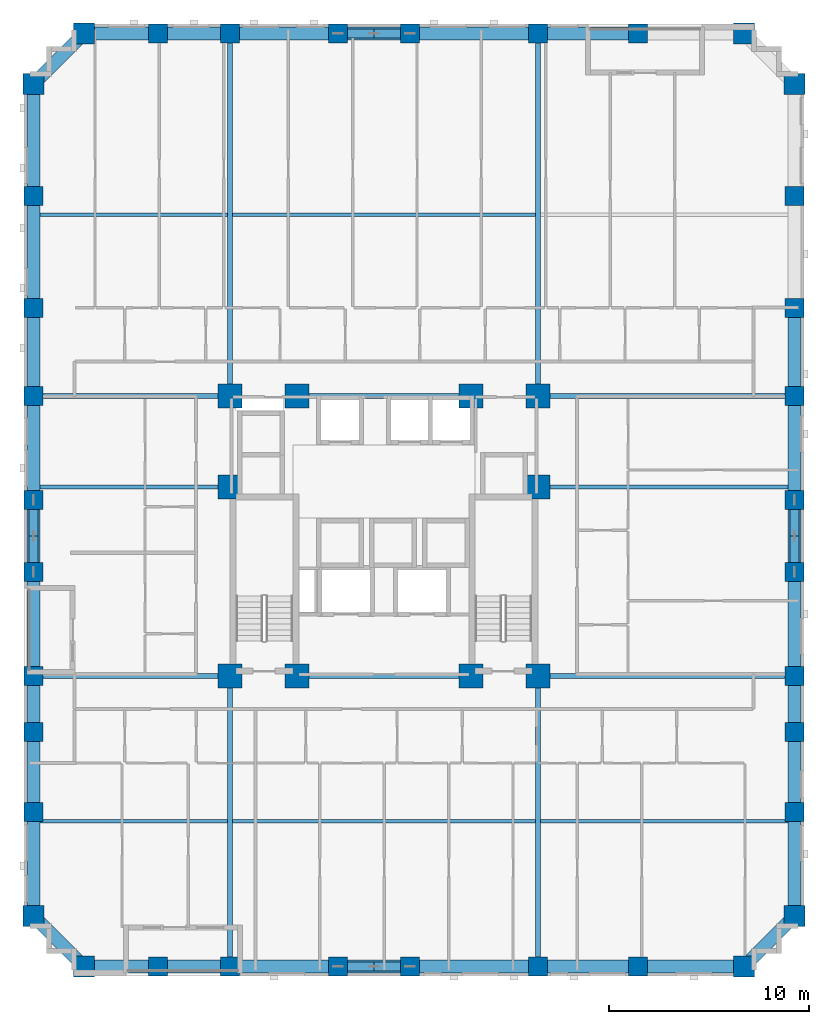
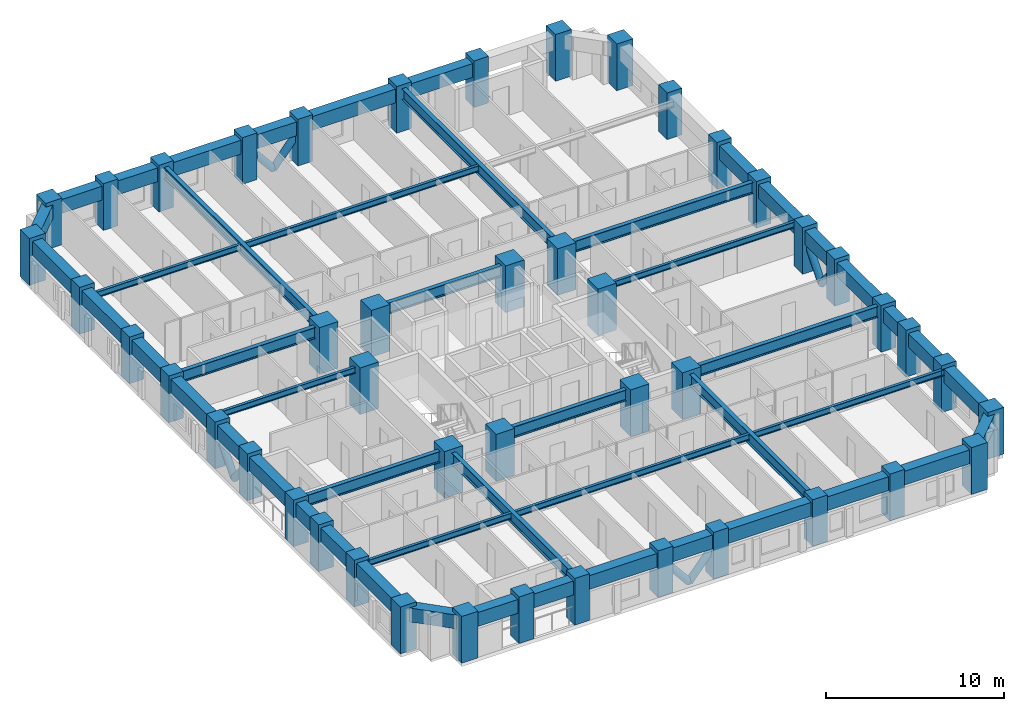
# One storey, part 1 of 14: 49 beams, 46 columns, 8 members.
"""IFC4 building model written with IfcOpenShell, lengths in metres."""

from ifc_helpers import new_model, si_unit, derived_unit, direction, frame, origin, origin_2d, place, context, subcontext, project, spatial, rectangle, hollow_circle, i_section, extrude, material, material_profile, profile_set, type_object, element, save


model = new_model("IFC4")

# Units and contexts
model_context = context("Model", 3, precision=1e-05, world=origin(), true_north=direction((0.0, 1.0)))
body_context = subcontext(model_context, "Body", "Model", "MODEL_VIEW")
ifc_project = project(units=[si_unit("LENGTHUNIT", "METRE"), si_unit("AREAUNIT", "SQUARE_METRE"), si_unit("VOLUMEUNIT", "CUBIC_METRE"), si_unit("PLANEANGLEUNIT", "RADIAN"), si_unit("MASSUNIT", "GRAM", prefix="KILO"), derived_unit("THERMALTRANSMITTANCEUNIT", [(si_unit("MASSUNIT", "GRAM", prefix="KILO"), 1), (si_unit("TIMEUNIT", "SECOND"), -3), (si_unit("THERMODYNAMICTEMPERATUREUNIT", "KELVIN"), -1)])], contexts=[model_context])

# Site, building, storey
site_placement = place(None, origin())
site = spatial("IfcSite", under=ifc_project, at=site_placement, CompositionType="ELEMENT")
building_placement = place(site_placement, origin())
building = spatial("IfcBuilding", under=site, at=building_placement, Name="Korrvale Station Residences", CompositionType="ELEMENT")
storey_placement = place(building_placement, frame((0.0, 0.0, 45.0)))
storey = spatial("IfcBuildingStorey", under=building, at=storey_placement, Name="L11", CompositionType="ELEMENT", Elevation=45.0)

# Columns
ifc_material_1 = material(Name="Concrete C70/85", Category="concrete")
ifc_material_profile_1 = material_profile(ifc_material_1, rectangle(XDim=1.050048828125, YDim=1.050048828125, at=origin_2d()), Name="RC1050x1050")
ifc_profile_set_1 = profile_set([ifc_material_profile_1], Name="Concrete C70/85")
column_type_1 = type_object("IfcColumnType", Name="COL-C-RC1050x1050-C7085", PredefinedType="COLUMN", material=ifc_profile_set_1)
for number, where, z_axis, x_axis, name in (
    (1, (10.5, 0.47998046875, 0.0), (0.0, 0.0, 1.0), (1.0, 0.0, 0.0), "L11 Bundled-Tube South Column 01"),
    (2, (43.5, 0.47998046875, 0.0), (0.0, 0.0, 1.0), (1.0, 0.0, 0.0), "L11 Bundled-Tube South Column 08"),
    (3, (10.5, 47.1201171875, 0.0), (0.0, 0.0, 1.0), (1.0, 0.0, 0.0), "L11 Bundled-Tube North Column 09"),
    (4, (43.5, 47.1201171875, 0.0), (0.0, 0.0, 1.0), (1.0, 0.0, 0.0), "L11 Bundled-Tube North Column 16"),
    (5, (7.97998046875, 3.0, 0.0), (0.0, 0.0, 1.0), (1.0, 0.0, 0.0), "L11 Bundled-Tube West Column 17"),
    (6, (7.97998046875, 44.60009765625, 0.0), (0.0, 0.0, 1.0), (1.0, 0.0, 0.0), "L11 Bundled-Tube West Column 26"),
    (7, (46.02001953125, 3.0, 0.0), (0.0, 0.0, 1.0), (1.0, 0.0, 0.0), "L11 Bundled-Tube East Column 27"),
    (8, (46.02001953125, 44.60009765625, 0.0), (0.0, 0.0, 1.0), (1.0, 0.0, 0.0), "L11 Bundled-Tube East Column 36"),
):
    element("IfcColumn", number, at=place(storey_placement, frame(where, z_axis=z_axis, x_axis=x_axis)), inside=storey, type_object=column_type_1, Name=name, PredefinedType="COLUMN", context=body_context, shape_type="SweptSolid", body=[
        extrude(rectangle(XDim=1.050048828125, YDim=1.050048828125, at=origin_2d()), origin(), (0.0, 0.0, 1.0), 3.199951171875),
    ])
ifc_material_profile_2 = material_profile(ifc_material_1, rectangle(XDim=1.199951171875, YDim=1.199951171875, at=origin_2d()), Name="RC1200x1200")
ifc_profile_set_2 = profile_set([ifc_material_profile_2], Name="Concrete C70/85")
column_type_2 = type_object("IfcColumnType", Name="COL-C-RC1200x1200-C7085", PredefinedType="COLUMN", material=ifc_profile_set_2)
for number, where, z_axis, x_axis, name in (
    (9, (17.800048828125, 15.0, 0.0), (0.0, 0.0, 1.0), (1.0, 0.0, 0.0), "L11 Core Column 01"),
    (10, (21.14990234375, 15.0, 0.0), (0.0, 0.0, 1.0), (1.0, 0.0, 0.0), "L11 Core Column 02"),
    (11, (29.85009765625, 15.0, 0.0), (0.0, 0.0, 1.0), (1.0, 0.0, 0.0), "L11 Core Column 03"),
    (12, (33.199951171875, 15.0, 0.0), (0.0, 0.0, 1.0), (1.0, 0.0, 0.0), "L11 Core Column 04"),
    (13, (17.800048828125, 29.0, 0.0), (0.0, 0.0, 1.0), (1.0, 0.0, 0.0), "L11 Core Column 05"),
    (14, (21.14990234375, 29.0, 0.0), (0.0, 0.0, 1.0), (1.0, 0.0, 0.0), "L11 Core Column 06"),
    (15, (29.85009765625, 29.0, 0.0), (0.0, 0.0, 1.0), (1.0, 0.0, 0.0), "L11 Core Column 07"),
    (16, (33.199951171875, 29.0, 0.0), (0.0, 0.0, 1.0), (1.0, 0.0, 0.0), "L11 Core Column 08"),
    (17, (17.800048828125, 24.449951171875, 0.0), (0.0, 0.0, 1.0), (1.0, 0.0, 0.0), "L11 Core Column 09"),
    (18, (33.199951171875, 24.449951171875, 0.0), (0.0, 0.0, 1.0), (1.0, 0.0, 0.0), "L11 Core Column 10"),
):
    element("IfcColumn", number, at=place(storey_placement, frame(where, z_axis=z_axis, x_axis=x_axis)), inside=storey, type_object=column_type_2, Name=name, PredefinedType="COLUMN", context=body_context, shape_type="SweptSolid", body=[
        extrude(rectangle(XDim=1.199951171875, YDim=1.199951171875, at=origin_2d()), origin(), (0.0, 0.0, 1.0), 3.199951171875),
    ])
ifc_material_profile_3 = material_profile(ifc_material_1, rectangle(XDim=0.949951171875, YDim=0.949951171875, at=origin_2d()), Name="RC950x950")
ifc_profile_set_3 = profile_set([ifc_material_profile_3], Name="Concrete C70/85")
column_type_3 = type_object("IfcColumnType", Name="COL-C-RC950x950-C7085", PredefinedType="COLUMN", material=ifc_profile_set_3)
for number, where, z_axis, x_axis, name in (
    (19, (14.199951171875, 0.47998046875, 0.0), (0.0, 0.0, 1.0), (1.0, 0.0, 0.0), "L11 Bundled-Tube South Column 02"),
    (20, (17.800048828125, 0.47998046875, 0.0), (0.0, 0.0, 1.0), (1.0, 0.0, 0.0), "L11 Bundled-Tube South Column 03"),
    (21, (23.199951171875, 0.47998046875, 0.0), (0.0, 0.0, 1.0), (1.0, 0.0, 0.0), "L11 Bundled-Tube South Column 04"),
    (22, (26.800048828125, 0.47998046875, 0.0), (0.0, 0.0, 1.0), (1.0, 0.0, 0.0), "L11 Bundled-Tube South Column 05"),
    (23, (33.199951171875, 0.47998046875, 0.0), (0.0, 0.0, 1.0), (1.0, 0.0, 0.0), "L11 Bundled-Tube South Column 06"),
    (24, (38.199951171875, 0.47998046875, 0.0), (0.0, 0.0, 1.0), (1.0, 0.0, 0.0), "L11 Bundled-Tube South Column 07"),
    (25, (14.199951171875, 47.1201171875, 0.0), (0.0, 0.0, 1.0), (1.0, 0.0, 0.0), "L11 Bundled-Tube North Column 10"),
    (26, (17.800048828125, 47.1201171875, 0.0), (0.0, 0.0, 1.0), (1.0, 0.0, 0.0), "L11 Bundled-Tube North Column 11"),
    (27, (23.199951171875, 47.1201171875, 0.0), (0.0, 0.0, 1.0), (1.0, 0.0, 0.0), "L11 Bundled-Tube North Column 12"),
    (28, (26.800048828125, 47.1201171875, 0.0), (0.0, 0.0, 1.0), (1.0, 0.0, 0.0), "L11 Bundled-Tube North Column 13"),
    (29, (33.199951171875, 47.1201171875, 0.0), (0.0, 0.0, 1.0), (1.0, 0.0, 0.0), "L11 Bundled-Tube North Column 14"),
    (30, (38.199951171875, 47.1201171875, 0.0), (0.0, 0.0, 1.0), (1.0, 0.0, 0.0), "L11 Bundled-Tube North Column 15"),
    (31, (7.97998046875, 8.199951171875, 0.0), (0.0, 0.0, 1.0), (1.0, 0.0, 0.0), "L11 Bundled-Tube West Column 18"),
    (32, (7.97998046875, 12.199951171875, 0.0), (0.0, 0.0, 1.0), (1.0, 0.0, 0.0), "L11 Bundled-Tube West Column 19"),
    (33, (7.97998046875, 15.0, 0.0), (0.0, 0.0, 1.0), (1.0, 0.0, 0.0), "L11 Bundled-Tube West Column 20"),
    (34, (7.97998046875, 20.199951171875, 0.0), (0.0, 0.0, 1.0), (1.0, 0.0, 0.0), "L11 Bundled-Tube West Column 21"),
    (35, (7.97998046875, 23.800048828125, 0.0), (0.0, 0.0, 1.0), (1.0, 0.0, 0.0), "L11 Bundled-Tube West Column 22"),
    (36, (7.97998046875, 29.0, 0.0), (0.0, 0.0, 1.0), (1.0, 0.0, 0.0), "L11 Bundled-Tube West Column 23"),
    (37, (7.97998046875, 33.39990234375, 0.0), (0.0, 0.0, 1.0), (1.0, 0.0, 0.0), "L11 Bundled-Tube West Column 24"),
    (38, (7.97998046875, 39.0, 0.0), (0.0, 0.0, 1.0), (1.0, 0.0, 0.0), "L11 Bundled-Tube West Column 25"),
    (39, (46.02001953125, 8.199951171875, 0.0), (0.0, 0.0, 1.0), (1.0, 0.0, 0.0), "L11 Bundled-Tube East Column 28"),
    (40, (46.02001953125, 12.199951171875, 0.0), (0.0, 0.0, 1.0), (1.0, 0.0, 0.0), "L11 Bundled-Tube East Column 29"),
    (41, (46.02001953125, 15.0, 0.0), (0.0, 0.0, 1.0), (1.0, 0.0, 0.0), "L11 Bundled-Tube East Column 30"),
    (42, (46.02001953125, 20.199951171875, 0.0), (0.0, 0.0, 1.0), (1.0, 0.0, 0.0), "L11 Bundled-Tube East Column 31"),
    (43, (46.02001953125, 23.800048828125, 0.0), (0.0, 0.0, 1.0), (1.0, 0.0, 0.0), "L11 Bundled-Tube East Column 32"),
    (44, (46.02001953125, 29.0, 0.0), (0.0, 0.0, 1.0), (1.0, 0.0, 0.0), "L11 Bundled-Tube East Column 33"),
    (45, (46.02001953125, 33.39990234375, 0.0), (0.0, 0.0, 1.0), (1.0, 0.0, 0.0), "L11 Bundled-Tube East Column 34"),
    (46, (46.02001953125, 39.0, 0.0), (0.0, 0.0, 1.0), (1.0, 0.0, 0.0), "L11 Bundled-Tube East Column 35"),
):
    element("IfcColumn", number, at=place(storey_placement, frame(where, z_axis=z_axis, x_axis=x_axis)), inside=storey, type_object=column_type_3, Name=name, PredefinedType="COLUMN", context=body_context, shape_type="SweptSolid", body=[
        extrude(rectangle(XDim=0.949951171875, YDim=0.949951171875, at=origin_2d()), origin(), (0.0, 0.0, 1.0), 3.199951171875),
    ])

# Beams
ifc_material_2 = material(Name="Steel S355", Category="steel")
ifc_material_profile_4 = material_profile(ifc_material_2, i_section(OverallWidth=0.26806640625, OverallDepth=0.77001953125, WebThickness=0.015625, FlangeThickness=0.025390625, FilletRadius=0.02197265625, at=origin_2d()), Name="W760x196")
ifc_profile_set_4 = profile_set([ifc_material_profile_4], Name="Steel S355")
beam_type_1 = type_object("IfcBeamType", Name="BM-BM-W760x196-S355", PredefinedType="BEAM", material=ifc_profile_set_4)
for number, where, z_axis, x_axis, name in (
    (47, (17.800048828125, 0.47998046875, 2.554931640625), (0.0, 1.0, 0.0), (-1.0, 0.0, 0.0), "L11 Bundled-Tube Web Girder 01"),
    (48, (33.199951171875, 0.47998046875, 2.554931640625), (0.0, 1.0, 0.0), (-1.0, 0.0, 0.0), "L11 Bundled-Tube Web Girder 02"),
):
    element("IfcBeam", number, at=place(storey_placement, frame(where, z_axis=z_axis, x_axis=x_axis)), inside=storey, type_object=beam_type_1, Name=name, PredefinedType="BEAM", context=body_context, shape_type="SweptSolid", body=[
        extrude(i_section(OverallWidth=0.26806640625, OverallDepth=0.77001953125, WebThickness=0.015625, FlangeThickness=0.025390625, FilletRadius=0.02197265625, at=origin_2d()), origin(), (0.0, 0.0, 1.0), 14.52001953125),
    ])
for number, where, z_axis, x_axis, name in (
    (49, (17.800048828125, 29.0, 2.554931640625), (0.0, 1.0, 0.0), (-1.0, 0.0, 0.0), "L11 Bundled-Tube Web Girder 03"),
    (50, (33.199951171875, 29.0, 2.554931640625), (0.0, 1.0, 0.0), (-1.0, 0.0, 0.0), "L11 Bundled-Tube Web Girder 04"),
):
    element("IfcBeam", number, at=place(storey_placement, frame(where, z_axis=z_axis, x_axis=x_axis)), inside=storey, type_object=beam_type_1, Name=name, PredefinedType="BEAM", context=body_context, shape_type="SweptSolid", body=[
        extrude(i_section(OverallWidth=0.26806640625, OverallDepth=0.77001953125, WebThickness=0.015625, FlangeThickness=0.025390625, FilletRadius=0.02197265625, at=origin_2d()), origin(), (0.0, 0.0, 1.0), 18.1201171875),
    ])
beam_1_placement = place(storey_placement, frame((7.97998046875, 15.0, 2.554931640625), z_axis=(1.0, 0.0, 0.0), x_axis=(0.0, 1.0, 0.0)))
element("IfcBeam", 51, at=beam_1_placement, inside=storey, type_object=beam_type_1, Name="L11 Bundled-Tube Web Girder 05", PredefinedType="BEAM", context=body_context, shape_type="SweptSolid", body=[
    extrude(i_section(OverallWidth=0.26806640625, OverallDepth=0.77001953125, WebThickness=0.015625, FlangeThickness=0.025390625, FilletRadius=0.02197265625, at=origin_2d()), origin(), (0.0, 0.0, 1.0), 9.820068359375),
])
beam_2_placement = place(storey_placement, frame((33.199951171875, 15.0, 2.554931640625), z_axis=(1.0, 0.0, 0.0), x_axis=(0.0, 1.0, 0.0)))
element("IfcBeam", 52, at=beam_2_placement, inside=storey, type_object=beam_type_1, Name="L11 Bundled-Tube Web Girder 06", PredefinedType="BEAM", context=body_context, shape_type="SweptSolid", body=[
    extrude(i_section(OverallWidth=0.26806640625, OverallDepth=0.77001953125, WebThickness=0.015625, FlangeThickness=0.025390625, FilletRadius=0.02197265625, at=origin_2d()), origin(), (0.0, 0.0, 1.0), 12.820068359375),
])
beam_3_placement = place(storey_placement, frame((7.97998046875, 29.0, 2.554931640625), z_axis=(1.0, 0.0, 0.0), x_axis=(0.0, 1.0, 0.0)))
element("IfcBeam", 53, at=beam_3_placement, inside=storey, type_object=beam_type_1, Name="L11 Bundled-Tube Web Girder 07", PredefinedType="BEAM", context=body_context, shape_type="SweptSolid", body=[
    extrude(i_section(OverallWidth=0.26806640625, OverallDepth=0.77001953125, WebThickness=0.015625, FlangeThickness=0.025390625, FilletRadius=0.02197265625, at=origin_2d()), origin(), (0.0, 0.0, 1.0), 9.820068359375),
])
beam_4_placement = place(storey_placement, frame((33.199951171875, 29.0, 2.554931640625), z_axis=(1.0, 0.0, 0.0), x_axis=(0.0, 1.0, 0.0)))
element("IfcBeam", 54, at=beam_4_placement, inside=storey, type_object=beam_type_1, Name="L11 Bundled-Tube Web Girder 08", PredefinedType="BEAM", context=body_context, shape_type="SweptSolid", body=[
    extrude(i_section(OverallWidth=0.26806640625, OverallDepth=0.77001953125, WebThickness=0.015625, FlangeThickness=0.025390625, FilletRadius=0.02197265625, at=origin_2d()), origin(), (0.0, 0.0, 1.0), 12.820068359375),
])
for number, where, z_axis, x_axis, name in (
    (55, (21.14990234375, 15.0, 2.554931640625), (1.0, 0.0, 0.0), (0.0, 1.0, 0.0), "L11 Bundled-Tube Web Girder 09"),
    (56, (21.14990234375, 29.0, 2.554931640625), (1.0, 0.0, 0.0), (0.0, 1.0, 0.0), "L11 Bundled-Tube Web Girder 10"),
):
    element("IfcBeam", number, at=place(storey_placement, frame(where, z_axis=z_axis, x_axis=x_axis)), inside=storey, type_object=beam_type_1, Name=name, PredefinedType="BEAM", context=body_context, shape_type="SweptSolid", body=[
        extrude(i_section(OverallWidth=0.26806640625, OverallDepth=0.77001953125, WebThickness=0.015625, FlangeThickness=0.025390625, FilletRadius=0.02197265625, at=origin_2d()), origin(), (0.0, 0.0, 1.0), 8.7001953125),
    ])
ifc_material_profile_5 = material_profile(ifc_material_2, i_section(OverallWidth=0.180908203125, OverallDepth=0.4169921875, WebThickness=0.010986328125, FlangeThickness=0.018310546875, FilletRadius=0.01611328125, at=origin_2d()), Name="W410x85")
ifc_profile_set_5 = profile_set([ifc_material_profile_5], Name="Steel S355")
beam_type_2 = type_object("IfcBeamType", Name="BM-JST-W410x85-S355", PredefinedType="JOIST", material=ifc_profile_set_5)
beam_5_placement = place(storey_placement, frame((8.304931640625, 7.739990234375, 2.7314453125), z_axis=(1.0, 0.0, 0.0), x_axis=(0.0, 1.0, 0.0)))
element("IfcBeam", 57, at=beam_5_placement, inside=storey, type_object=beam_type_2, Name="L11 Floor Framing Joist 01", PredefinedType="JOIST", context=body_context, shape_type="SweptSolid", body=[
    extrude(i_section(OverallWidth=0.180908203125, OverallDepth=0.4169921875, WebThickness=0.010986328125, FlangeThickness=0.018310546875, FilletRadius=0.01611328125, at=origin_2d()), origin(), (0.0, 0.0, 1.0), 9.361083984375),
])
beam_6_placement = place(storey_placement, frame((17.93408203125, 7.739990234375, 2.7314453125), z_axis=(1.0, 0.0, 0.0), x_axis=(0.0, 1.0, 0.0)))
element("IfcBeam", 58, at=beam_6_placement, inside=storey, type_object=beam_type_2, Name="L11 Floor Framing Joist 02", PredefinedType="JOIST", context=body_context, shape_type="SweptSolid", body=[
    extrude(i_section(OverallWidth=0.180908203125, OverallDepth=0.4169921875, WebThickness=0.010986328125, FlangeThickness=0.018310546875, FilletRadius=0.01611328125, at=origin_2d()), origin(), (0.0, 0.0, 1.0), 15.1318359375),
])
beam_7_placement = place(storey_placement, frame((33.333984375, 7.739990234375, 2.7314453125), z_axis=(1.0, 0.0, 0.0), x_axis=(0.0, 1.0, 0.0)))
element("IfcBeam", 59, at=beam_7_placement, inside=storey, type_object=beam_type_2, Name="L11 Floor Framing Joist 03", PredefinedType="JOIST", context=body_context, shape_type="SweptSolid", body=[
    extrude(i_section(OverallWidth=0.180908203125, OverallDepth=0.4169921875, WebThickness=0.010986328125, FlangeThickness=0.018310546875, FilletRadius=0.01611328125, at=origin_2d()), origin(), (0.0, 0.0, 1.0), 12.361083984375),
])
beam_8_placement = place(storey_placement, frame((8.304931640625, 38.06005859375, 2.7314453125), z_axis=(1.0, 0.0, 0.0), x_axis=(0.0, 1.0, 0.0)))
element("IfcBeam", 60, at=beam_8_placement, inside=storey, type_object=beam_type_2, Name="L11 Floor Framing Joist 04", PredefinedType="JOIST", context=body_context, shape_type="SweptSolid", body=[
    extrude(i_section(OverallWidth=0.180908203125, OverallDepth=0.4169921875, WebThickness=0.010986328125, FlangeThickness=0.018310546875, FilletRadius=0.01611328125, at=origin_2d()), origin(), (0.0, 0.0, 1.0), 9.361083984375),
])
beam_9_placement = place(storey_placement, frame((17.93408203125, 38.06005859375, 2.7314453125), z_axis=(1.0, 0.0, 0.0), x_axis=(0.0, 1.0, 0.0)))
element("IfcBeam", 61, at=beam_9_placement, inside=storey, type_object=beam_type_2, Name="L11 Floor Framing Joist 05", PredefinedType="JOIST", context=body_context, shape_type="SweptSolid", body=[
    extrude(i_section(OverallWidth=0.180908203125, OverallDepth=0.4169921875, WebThickness=0.010986328125, FlangeThickness=0.018310546875, FilletRadius=0.01611328125, at=origin_2d()), origin(), (0.0, 0.0, 1.0), 15.1318359375),
])
beam_10_placement = place(storey_placement, frame((33.199951171875, 24.449951171875, 2.7314453125), z_axis=(1.0, 0.0, 0.0), x_axis=(0.0, 1.0, 0.0)))
element("IfcBeam", 62, at=beam_10_placement, inside=storey, type_object=beam_type_2, Name="L11 Floor Framing Joist 07", PredefinedType="JOIST", context=body_context, shape_type="SweptSolid", body=[
    extrude(i_section(OverallWidth=0.180908203125, OverallDepth=0.4169921875, WebThickness=0.010986328125, FlangeThickness=0.018310546875, FilletRadius=0.01611328125, at=origin_2d()), origin(), (0.0, 0.0, 1.0), 12.4951171875),
])
beam_11_placement = place(storey_placement, frame((8.304931640625, 24.449951171875, 2.7314453125), z_axis=(1.0, 0.0, 0.0), x_axis=(0.0, 1.0, 0.0)))
element("IfcBeam", 63, at=beam_11_placement, inside=storey, type_object=beam_type_2, Name="L11 Floor Framing Joist 08", PredefinedType="JOIST", context=body_context, shape_type="SweptSolid", body=[
    extrude(i_section(OverallWidth=0.180908203125, OverallDepth=0.4169921875, WebThickness=0.010986328125, FlangeThickness=0.018310546875, FilletRadius=0.01611328125, at=origin_2d()), origin(), (0.0, 0.0, 1.0), 9.4951171875),
])
ifc_material_profile_6 = material_profile(ifc_material_1, rectangle(XDim=0.64990234375, YDim=0.949951171875, at=origin_2d()), Name="RCB650x950")
ifc_profile_set_6 = profile_set([ifc_material_profile_6], Name="Concrete C70/85")
beam_type_3 = type_object("IfcBeamType", Name="BM-SPB-RCB650x950-C7085", PredefinedType="SPANDREL", material=ifc_profile_set_6)
beam_12_placement = place(storey_placement, frame((10.5, 0.47998046875, 2.465087890625), z_axis=(1.0, 0.0, 0.0), x_axis=(0.0, 1.0, 0.0)))
element("IfcBeam", 64, at=beam_12_placement, inside=storey, type_object=beam_type_3, Name="L11 South Tube Spandrel 01", PredefinedType="SPANDREL", context=body_context, shape_type="SweptSolid", body=[
    extrude(rectangle(XDim=0.64990234375, YDim=0.949951171875, at=origin_2d()), origin(), (0.0, 0.0, 1.0), 3.699951171875),
])
beam_13_placement = place(storey_placement, frame((14.199951171875, 0.47998046875, 2.465087890625), z_axis=(1.0, 0.0, 0.0), x_axis=(0.0, 1.0, 0.0)))
element("IfcBeam", 65, at=beam_13_placement, inside=storey, type_object=beam_type_3, Name="L11 South Tube Spandrel 02", PredefinedType="SPANDREL", context=body_context, shape_type="SweptSolid", body=[
    extrude(rectangle(XDim=0.64990234375, YDim=0.949951171875, at=origin_2d()), origin(), (0.0, 0.0, 1.0), 3.60009765625),
])
beam_14_placement = place(storey_placement, frame((17.800048828125, 0.47998046875, 2.465087890625), z_axis=(1.0, 0.0, 0.0), x_axis=(0.0, 1.0, 0.0)))
element("IfcBeam", 66, at=beam_14_placement, inside=storey, type_object=beam_type_3, Name="L11 South Tube Spandrel 03", PredefinedType="SPANDREL", context=body_context, shape_type="SweptSolid", body=[
    extrude(rectangle(XDim=0.64990234375, YDim=0.949951171875, at=origin_2d()), origin(), (0.0, 0.0, 1.0), 5.39990234375),
])
beam_15_placement = place(storey_placement, frame((23.199951171875, 0.47998046875, 2.465087890625), z_axis=(1.0, 0.0, 0.0), x_axis=(0.0, 1.0, 0.0)))
element("IfcBeam", 67, at=beam_15_placement, inside=storey, type_object=beam_type_3, Name="L11 South Tube Spandrel 04", PredefinedType="SPANDREL", context=body_context, shape_type="SweptSolid", body=[
    extrude(rectangle(XDim=0.64990234375, YDim=0.949951171875, at=origin_2d()), origin(), (0.0, 0.0, 1.0), 3.60009765625),
])
beam_16_placement = place(storey_placement, frame((26.800048828125, 0.47998046875, 2.465087890625), z_axis=(1.0, 0.0, 0.0), x_axis=(0.0, 1.0, 0.0)))
element("IfcBeam", 68, at=beam_16_placement, inside=storey, type_object=beam_type_3, Name="L11 South Tube Spandrel 05", PredefinedType="SPANDREL", context=body_context, shape_type="SweptSolid", body=[
    extrude(rectangle(XDim=0.64990234375, YDim=0.949951171875, at=origin_2d()), origin(), (0.0, 0.0, 1.0), 6.39990234375),
])
beam_17_placement = place(storey_placement, frame((33.199951171875, 0.47998046875, 2.465087890625), z_axis=(1.0, 0.0, 0.0), x_axis=(0.0, 1.0, 0.0)))
element("IfcBeam", 69, at=beam_17_placement, inside=storey, type_object=beam_type_3, Name="L11 South Tube Spandrel 06", PredefinedType="SPANDREL", context=body_context, shape_type="SweptSolid", body=[
    extrude(rectangle(XDim=0.64990234375, YDim=0.949951171875, at=origin_2d()), origin(), (0.0, 0.0, 1.0), 5.0),
])
beam_18_placement = place(storey_placement, frame((38.199951171875, 0.47998046875, 2.465087890625), z_axis=(1.0, 0.0, 0.0), x_axis=(0.0, 1.0, 0.0)))
element("IfcBeam", 70, at=beam_18_placement, inside=storey, type_object=beam_type_3, Name="L11 South Tube Spandrel 07", PredefinedType="SPANDREL", context=body_context, shape_type="SweptSolid", body=[
    extrude(rectangle(XDim=0.64990234375, YDim=0.949951171875, at=origin_2d()), origin(), (0.0, 0.0, 1.0), 5.300048828125),
])
beam_19_placement = place(storey_placement, frame((10.5, 47.1201171875, 2.465087890625), z_axis=(1.0, 0.0, 0.0), x_axis=(0.0, 1.0, 0.0)))
element("IfcBeam", 71, at=beam_19_placement, inside=storey, type_object=beam_type_3, Name="L11 North Tube Spandrel 08", PredefinedType="SPANDREL", context=body_context, shape_type="SweptSolid", body=[
    extrude(rectangle(XDim=0.64990234375, YDim=0.949951171875, at=origin_2d()), origin(), (0.0, 0.0, 1.0), 3.699951171875),
])
beam_20_placement = place(storey_placement, frame((14.199951171875, 47.1201171875, 2.465087890625), z_axis=(1.0, 0.0, 0.0), x_axis=(0.0, 1.0, 0.0)))
element("IfcBeam", 72, at=beam_20_placement, inside=storey, type_object=beam_type_3, Name="L11 North Tube Spandrel 09", PredefinedType="SPANDREL", context=body_context, shape_type="SweptSolid", body=[
    extrude(rectangle(XDim=0.64990234375, YDim=0.949951171875, at=origin_2d()), origin(), (0.0, 0.0, 1.0), 3.60009765625),
])
beam_21_placement = place(storey_placement, frame((17.800048828125, 47.1201171875, 2.465087890625), z_axis=(1.0, 0.0, 0.0), x_axis=(0.0, 1.0, 0.0)))
element("IfcBeam", 73, at=beam_21_placement, inside=storey, type_object=beam_type_3, Name="L11 North Tube Spandrel 10", PredefinedType="SPANDREL", context=body_context, shape_type="SweptSolid", body=[
    extrude(rectangle(XDim=0.64990234375, YDim=0.949951171875, at=origin_2d()), origin(), (0.0, 0.0, 1.0), 5.39990234375),
])
beam_22_placement = place(storey_placement, frame((23.199951171875, 47.1201171875, 2.465087890625), z_axis=(1.0, 0.0, 0.0), x_axis=(0.0, 1.0, 0.0)))
element("IfcBeam", 74, at=beam_22_placement, inside=storey, type_object=beam_type_3, Name="L11 North Tube Spandrel 11", PredefinedType="SPANDREL", context=body_context, shape_type="SweptSolid", body=[
    extrude(rectangle(XDim=0.64990234375, YDim=0.949951171875, at=origin_2d()), origin(), (0.0, 0.0, 1.0), 3.60009765625),
])
beam_23_placement = place(storey_placement, frame((26.800048828125, 47.1201171875, 2.465087890625), z_axis=(1.0, 0.0, 0.0), x_axis=(0.0, 1.0, 0.0)))
element("IfcBeam", 75, at=beam_23_placement, inside=storey, type_object=beam_type_3, Name="L11 North Tube Spandrel 12", PredefinedType="SPANDREL", context=body_context, shape_type="SweptSolid", body=[
    extrude(rectangle(XDim=0.64990234375, YDim=0.949951171875, at=origin_2d()), origin(), (0.0, 0.0, 1.0), 6.39990234375),
])
beam_24_placement = place(storey_placement, frame((33.199951171875, 47.1201171875, 2.465087890625), z_axis=(1.0, 0.0, 0.0), x_axis=(0.0, 1.0, 0.0)))
element("IfcBeam", 76, at=beam_24_placement, inside=storey, type_object=beam_type_3, Name="L11 North Tube Spandrel 13", PredefinedType="SPANDREL", context=body_context, shape_type="SweptSolid", body=[
    extrude(rectangle(XDim=0.64990234375, YDim=0.949951171875, at=origin_2d()), origin(), (0.0, 0.0, 1.0), 5.0),
])
beam_25_placement = place(storey_placement, frame((7.97998046875, 3.0, 2.465087890625), z_axis=(0.0, 1.0, 0.0), x_axis=(-1.0, 0.0, 0.0)))
element("IfcBeam", 77, at=beam_25_placement, inside=storey, type_object=beam_type_3, Name="L11 West Tube Spandrel 15", PredefinedType="SPANDREL", context=body_context, shape_type="SweptSolid", body=[
    extrude(rectangle(XDim=0.64990234375, YDim=0.949951171875, at=origin_2d()), origin(), (0.0, 0.0, 1.0), 5.199951171875),
])
beam_26_placement = place(storey_placement, frame((7.97998046875, 8.199951171875, 2.465087890625), z_axis=(0.0, 1.0, 0.0), x_axis=(-1.0, 0.0, 0.0)))
element("IfcBeam", 78, at=beam_26_placement, inside=storey, type_object=beam_type_3, Name="L11 West Tube Spandrel 16", PredefinedType="SPANDREL", context=body_context, shape_type="SweptSolid", body=[
    extrude(rectangle(XDim=0.64990234375, YDim=0.949951171875, at=origin_2d()), origin(), (0.0, 0.0, 1.0), 4.0),
])
beam_27_placement = place(storey_placement, frame((7.97998046875, 12.199951171875, 2.465087890625), z_axis=(0.0, 1.0, 0.0), x_axis=(-1.0, 0.0, 0.0)))
element("IfcBeam", 79, at=beam_27_placement, inside=storey, type_object=beam_type_3, Name="L11 West Tube Spandrel 17", PredefinedType="SPANDREL", context=body_context, shape_type="SweptSolid", body=[
    extrude(rectangle(XDim=0.64990234375, YDim=0.949951171875, at=origin_2d()), origin(), (0.0, 0.0, 1.0), 2.800048828125),
])
beam_28_placement = place(storey_placement, frame((7.97998046875, 15.0, 2.465087890625), z_axis=(0.0, 1.0, 0.0), x_axis=(-1.0, 0.0, 0.0)))
element("IfcBeam", 80, at=beam_28_placement, inside=storey, type_object=beam_type_3, Name="L11 West Tube Spandrel 18", PredefinedType="SPANDREL", context=body_context, shape_type="SweptSolid", body=[
    extrude(rectangle(XDim=0.64990234375, YDim=0.949951171875, at=origin_2d()), origin(), (0.0, 0.0, 1.0), 5.199951171875),
])
beam_29_placement = place(storey_placement, frame((7.97998046875, 20.199951171875, 2.465087890625), z_axis=(0.0, 1.0, 0.0), x_axis=(-1.0, 0.0, 0.0)))
element("IfcBeam", 81, at=beam_29_placement, inside=storey, type_object=beam_type_3, Name="L11 West Tube Spandrel 19", PredefinedType="SPANDREL", context=body_context, shape_type="SweptSolid", body=[
    extrude(rectangle(XDim=0.64990234375, YDim=0.949951171875, at=origin_2d()), origin(), (0.0, 0.0, 1.0), 3.60009765625),
])
beam_30_placement = place(storey_placement, frame((7.97998046875, 23.800048828125, 2.465087890625), z_axis=(0.0, 1.0, 0.0), x_axis=(-1.0, 0.0, 0.0)))
element("IfcBeam", 82, at=beam_30_placement, inside=storey, type_object=beam_type_3, Name="L11 West Tube Spandrel 20", PredefinedType="SPANDREL", context=body_context, shape_type="SweptSolid", body=[
    extrude(rectangle(XDim=0.64990234375, YDim=0.949951171875, at=origin_2d()), origin(), (0.0, 0.0, 1.0), 5.199951171875),
])
beam_31_placement = place(storey_placement, frame((7.97998046875, 29.0, 2.465087890625), z_axis=(0.0, 1.0, 0.0), x_axis=(-1.0, 0.0, 0.0)))
element("IfcBeam", 83, at=beam_31_placement, inside=storey, type_object=beam_type_3, Name="L11 West Tube Spandrel 21", PredefinedType="SPANDREL", context=body_context, shape_type="SweptSolid", body=[
    extrude(rectangle(XDim=0.64990234375, YDim=0.949951171875, at=origin_2d()), origin(), (0.0, 0.0, 1.0), 4.39990234375),
])
for number, where, z_axis, x_axis, name in (
    (84, (7.97998046875, 33.39990234375, 2.465087890625), (0.0, 1.0, 0.0), (-1.0, 0.0, 0.0), "L11 West Tube Spandrel 22"),
    (85, (7.97998046875, 39.0, 2.465087890625), (0.0, 1.0, 0.0), (-1.0, 0.0, 0.0), "L11 West Tube Spandrel 23"),
):
    element("IfcBeam", number, at=place(storey_placement, frame(where, z_axis=z_axis, x_axis=x_axis)), inside=storey, type_object=beam_type_3, Name=name, PredefinedType="SPANDREL", context=body_context, shape_type="SweptSolid", body=[
        extrude(rectangle(XDim=0.64990234375, YDim=0.949951171875, at=origin_2d()), origin(), (0.0, 0.0, 1.0), 5.60009765625),
    ])
beam_32_placement = place(storey_placement, frame((46.02001953125, 3.0, 2.465087890625), z_axis=(0.0, 1.0, 0.0), x_axis=(-1.0, 0.0, 0.0)))
element("IfcBeam", 86, at=beam_32_placement, inside=storey, type_object=beam_type_3, Name="L11 East Tube Spandrel 24", PredefinedType="SPANDREL", context=body_context, shape_type="SweptSolid", body=[
    extrude(rectangle(XDim=0.64990234375, YDim=0.949951171875, at=origin_2d()), origin(), (0.0, 0.0, 1.0), 5.199951171875),
])
beam_33_placement = place(storey_placement, frame((46.02001953125, 8.199951171875, 2.465087890625), z_axis=(0.0, 1.0, 0.0), x_axis=(-1.0, 0.0, 0.0)))
element("IfcBeam", 87, at=beam_33_placement, inside=storey, type_object=beam_type_3, Name="L11 East Tube Spandrel 25", PredefinedType="SPANDREL", context=body_context, shape_type="SweptSolid", body=[
    extrude(rectangle(XDim=0.64990234375, YDim=0.949951171875, at=origin_2d()), origin(), (0.0, 0.0, 1.0), 4.0),
])
beam_34_placement = place(storey_placement, frame((46.02001953125, 12.199951171875, 2.465087890625), z_axis=(0.0, 1.0, 0.0), x_axis=(-1.0, 0.0, 0.0)))
element("IfcBeam", 88, at=beam_34_placement, inside=storey, type_object=beam_type_3, Name="L11 East Tube Spandrel 26", PredefinedType="SPANDREL", context=body_context, shape_type="SweptSolid", body=[
    extrude(rectangle(XDim=0.64990234375, YDim=0.949951171875, at=origin_2d()), origin(), (0.0, 0.0, 1.0), 2.800048828125),
])
beam_35_placement = place(storey_placement, frame((46.02001953125, 15.0, 2.465087890625), z_axis=(0.0, 1.0, 0.0), x_axis=(-1.0, 0.0, 0.0)))
element("IfcBeam", 89, at=beam_35_placement, inside=storey, type_object=beam_type_3, Name="L11 East Tube Spandrel 27", PredefinedType="SPANDREL", context=body_context, shape_type="SweptSolid", body=[
    extrude(rectangle(XDim=0.64990234375, YDim=0.949951171875, at=origin_2d()), origin(), (0.0, 0.0, 1.0), 5.199951171875),
])
beam_36_placement = place(storey_placement, frame((46.02001953125, 20.199951171875, 2.465087890625), z_axis=(0.0, 1.0, 0.0), x_axis=(-1.0, 0.0, 0.0)))
element("IfcBeam", 90, at=beam_36_placement, inside=storey, type_object=beam_type_3, Name="L11 East Tube Spandrel 28", PredefinedType="SPANDREL", context=body_context, shape_type="SweptSolid", body=[
    extrude(rectangle(XDim=0.64990234375, YDim=0.949951171875, at=origin_2d()), origin(), (0.0, 0.0, 1.0), 3.60009765625),
])
beam_37_placement = place(storey_placement, frame((46.02001953125, 23.800048828125, 2.465087890625), z_axis=(0.0, 1.0, 0.0), x_axis=(-1.0, 0.0, 0.0)))
element("IfcBeam", 91, at=beam_37_placement, inside=storey, type_object=beam_type_3, Name="L11 East Tube Spandrel 29", PredefinedType="SPANDREL", context=body_context, shape_type="SweptSolid", body=[
    extrude(rectangle(XDim=0.64990234375, YDim=0.949951171875, at=origin_2d()), origin(), (0.0, 0.0, 1.0), 5.199951171875),
])
beam_38_placement = place(storey_placement, frame((46.02001953125, 29.0, 2.465087890625), z_axis=(0.0, 1.0, 0.0), x_axis=(-1.0, 0.0, 0.0)))
element("IfcBeam", 92, at=beam_38_placement, inside=storey, type_object=beam_type_3, Name="L11 East Tube Spandrel 30", PredefinedType="SPANDREL", context=body_context, shape_type="SweptSolid", body=[
    extrude(rectangle(XDim=0.64990234375, YDim=0.949951171875, at=origin_2d()), origin(), (0.0, 0.0, 1.0), 4.39990234375),
])
for number, where, z_axis, x_axis, name in (
    (93, (10.5, 0.47998046875, 2.465087890625), (-0.707106781187, 0.707106781187, 0.0), (-0.707106781187, -0.707106781187, 0.0), "L11 Serrated Corner Spandrel 33"),
    (94, (43.5, 0.47998046875, 2.465087890625), (0.707106781187, 0.707106781187, 0.0), (-0.707106781187, 0.707106781187, 0.0), "L11 Serrated Corner Spandrel 34"),
    (95, (10.5, 47.1201171875, 2.465087890625), (-0.707106781187, -0.707106781187, 0.0), (0.707106781187, -0.707106781187, 0.0), "L11 Serrated Corner Spandrel 36"),
):
    element("IfcBeam", number, at=place(storey_placement, frame(where, z_axis=z_axis, x_axis=x_axis)), inside=storey, type_object=beam_type_3, Name=name, PredefinedType="SPANDREL", context=body_context, shape_type="SweptSolid", body=[
        extrude(rectangle(XDim=0.64990234375, YDim=0.949951171875, at=origin_2d()), origin(), (0.0, 0.0, 1.0), 3.56396484375),
    ])

# Members
ifc_material_profile_7 = material_profile(ifc_material_2, hollow_circle(Radius=0.228515625, WallThickness=0.01904296875, at=origin_2d()), Name="HSS457x19")
ifc_profile_set_7 = profile_set([ifc_material_profile_7], Name="Steel S355")
member_type = type_object("IfcMemberType", Name="MBR-BR-HSS457x19", PredefinedType="BRACE", material=ifc_profile_set_7)
for number, where, z_axis, x_axis, name in (
    (96, (25.0, 0.47998046875, 0.02001953125), (-0.634985494602, 0.0, 0.772524058942), (0.0, -1.0, 0.0), "L11 S Perimeter Tube Wind Brace 1"),
    (97, (25.0, 0.47998046875, 0.02001953125), (0.634985494602, 0.0, 0.772524058942), (0.0, 1.0, 0.0), "L11 S Perimeter Tube Wind Brace 2"),
    (98, (25.0, 47.1201171875, 0.02001953125), (-0.634985494602, 0.0, 0.772524058942), (0.0, -1.0, 0.0), "L11 N Perimeter Tube Wind Brace 1"),
    (99, (25.0, 47.1201171875, 0.02001953125), (0.634985494602, 0.0, 0.772524058942), (0.0, 1.0, 0.0), "L11 N Perimeter Tube Wind Brace 2"),
    (100, (7.97998046875, 22.0, 0.02001953125), (0.0, -0.634985494602, 0.772524058942), (1.0, 0.0, 0.0), "L11 W Perimeter Tube Wind Brace 1"),
    (101, (7.97998046875, 22.0, 0.02001953125), (0.0, 0.634985494602, 0.772524058942), (-1.0, 0.0, 0.0), "L11 W Perimeter Tube Wind Brace 2"),
    (102, (46.02001953125, 22.0, 0.02001953125), (0.0, -0.634985494602, 0.772524058942), (1.0, 0.0, 0.0), "L11 E Perimeter Tube Wind Brace 1"),
    (103, (46.02001953125, 22.0, 0.02001953125), (0.0, 0.634985494602, 0.772524058942), (-1.0, 0.0, 0.0), "L11 E Perimeter Tube Wind Brace 2"),
):
    element("IfcMember", number, at=place(storey_placement, frame(where, z_axis=z_axis, x_axis=x_axis)), inside=storey, type_object=member_type, Name=name, PredefinedType="BRACE", context=body_context, shape_type="SweptSolid", body=[
        extrude(hollow_circle(Radius=0.228515625, WallThickness=0.01904296875, at=origin_2d()), origin(), (0.0, 0.0, 1.0), 2.834716796875),
    ])

save(model, "model.ifc")
